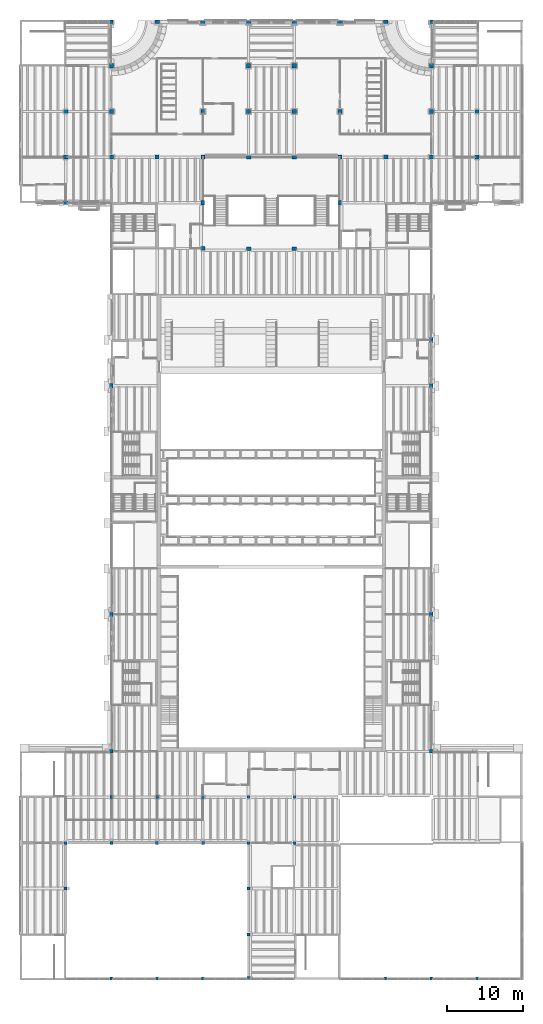
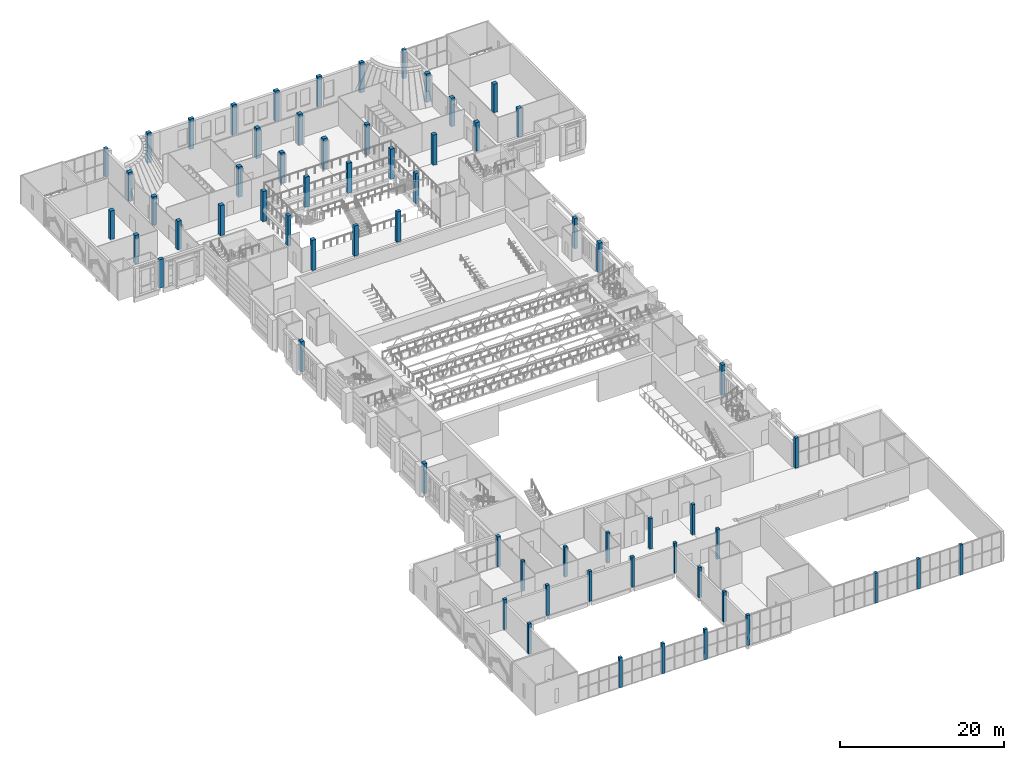
# One storey, part 1 of 70: 64 columns.
"""IFC4 building model written with IfcOpenShell, lengths in metres."""

from ifc_helpers import new_model, si_unit, direction, frame, origin, origin_2d, place, context, subcontext, project, spatial, rectangle, extrude, material, material_profile, profile_set, type_object, element, save


model = new_model("IFC4")

# Units and contexts
model_context = context("Model", 3, precision=1e-05, world=origin(), true_north=direction((0.0, 1.0)))
body_context = subcontext(model_context, "Body", "Model", "MODEL_VIEW")
ifc_project = project(units=[si_unit("LENGTHUNIT", "METRE"), si_unit("AREAUNIT", "SQUARE_METRE"), si_unit("VOLUMEUNIT", "CUBIC_METRE"), si_unit("PLANEANGLEUNIT", "RADIAN"), si_unit("MASSUNIT", "GRAM", prefix="KILO")], contexts=[model_context])

# Site, building, storey
site_placement = place(None, origin())
site = spatial("IfcSite", under=ifc_project, at=site_placement, CompositionType="ELEMENT")
building_placement = place(site_placement, origin())
building = spatial("IfcBuilding", under=site, at=building_placement, Name="Saffron Lane Theatres", CompositionType="ELEMENT")
storey_placement = place(building_placement, frame((0.0, 0.0, 12.0)))
storey = spatial("IfcBuildingStorey", under=building, at=storey_placement, Name="L02", CompositionType="ELEMENT", Elevation=12.0)

# Columns
ifc_material_1 = material(Name="Concrete N50 (50 MPa)", Category="concrete")
ifc_material_profile_1 = material_profile(ifc_material_1, rectangle(XDim=0.39990234375, YDim=0.39990234375, at=origin_2d()))
ifc_profile_set_1 = profile_set([ifc_material_profile_1], Name="Concrete N50 (50 MPa)")
column_type_1 = type_object("IfcColumnType", Name="RC-COL 400x400", PredefinedType="COLUMN", material=ifc_profile_set_1)
for number, where, z_axis, x_axis, name in (
    (1, (12.0, 0.2255859375, 0.0), (0.0, 0.0, 1.0), (1.0, 0.0, 0.0), "col-L02-C1"),
    (2, (18.0, 0.2255859375, 0.0), (0.0, 0.0, 1.0), (1.0, 0.0, 0.0), "col-L02-D1"),
    (3, (24.0, 0.2255859375, 0.0), (0.0, 0.0, 1.0), (1.0, 0.0, 0.0), "col-L02-E1"),
    (4, (30.0, 0.25048828125, 0.0), (0.0, 0.0, 1.0), (1.0, 0.0, 0.0), "col-L02-F1"),
    (5, (48.0, 0.2255859375, 0.0), (0.0, 0.0, 1.0), (1.0, 0.0, 0.0), "col-L02-J1"),
    (6, (54.0, 0.2255859375, 0.0), (0.0, 0.0, 1.0), (1.0, 0.0, 0.0), "col-L02-K1"),
    (7, (60.0, 0.2255859375, 0.0), (0.0, 0.0, 1.0), (1.0, 0.0, 0.0), "col-L02-L1"),
    (8, (30.0, 6.0, 0.0), (0.0, 0.0, 1.0), (1.0, 0.0, 0.0), "col-L02-F2"),
    (9, (6.0, 12.0, 0.0), (0.0, 0.0, 1.0), (1.0, 0.0, 0.0), "col-L02-B3"),
    (10, (30.0, 12.0, 0.0), (0.0, 0.0, 1.0), (1.0, 0.0, 0.0), "col-L02-F3"),
    (11, (6.0, 18.0, 0.0), (0.0, 0.0, 1.0), (1.0, 0.0, 0.0), "col-L02-B4"),
    (12, (12.0, 18.0, 0.0), (0.0, 0.0, 1.0), (1.0, 0.0, 0.0), "col-L02-C4"),
    (13, (18.0, 18.0, 0.0), (0.0, 0.0, 1.0), (1.0, 0.0, 0.0), "col-L02-D4"),
    (14, (24.0, 18.0, 0.0), (0.0, 0.0, 1.0), (1.0, 0.0, 0.0), "col-L02-E4"),
    (15, (30.0, 18.0, 0.0), (0.0, 0.0, 1.0), (1.0, 0.0, 0.0), "col-L02-F4"),
    (16, (36.0, 18.0, 0.0), (0.0, 0.0, 1.0), (1.0, 0.0, 0.0), "col-L02-G4"),
    (17, (12.0, 24.0, 0.0), (0.0, 0.0, 1.0), (1.0, 0.0, 0.0), "col-L02-C5"),
    (18, (18.0, 24.0, 0.0), (0.0, 0.0, 1.0), (1.0, 0.0, 0.0), "col-L02-D5"),
    (19, (24.0, 24.0, 0.0), (0.0, 0.0, 1.0), (1.0, 0.0, 0.0), "col-L02-E5"),
    (20, (30.0, 24.0, 0.0), (0.0, 0.0, 1.0), (1.0, 0.0, 0.0), "col-L02-F5"),
    (21, (36.0, 24.0, 0.0), (0.0, 0.0, 1.0), (1.0, 0.0, 0.0), "col-L02-G5"),
):
    element("IfcColumn", number, at=place(storey_placement, frame(where, z_axis=z_axis, x_axis=x_axis)), inside=storey, type_object=column_type_1, Name=name, PredefinedType="COLUMN", context=body_context, shape_type="SweptSolid", body=[
        extrude(rectangle(XDim=0.39990234375, YDim=0.39990234375, at=origin_2d()), origin(), (0.0, 0.0, 1.0), 4.5),
    ])
ifc_material_2 = material(Name="Concrete N50 (50 MPa)", Category="concrete")
ifc_material_profile_2 = material_profile(ifc_material_2, rectangle(XDim=0.449951171875, YDim=0.449951171875, at=origin_2d()))
ifc_profile_set_2 = profile_set([ifc_material_profile_2], Name="Concrete N50 (50 MPa)")
column_type_2 = type_object("IfcColumnType", Name="RC-COL 450x450", PredefinedType="COLUMN", material=ifc_profile_set_2)
for number, where, z_axis, x_axis, name in (
    (22, (12.0, 30.0, 0.0), (0.0, 0.0, 1.0), (1.0, 0.0, 0.0), "col-L02-C6"),
    (23, (54.0, 30.0, 0.0), (0.0, 0.0, 1.0), (1.0, 0.0, 0.0), "col-L02-K6"),
):
    element("IfcColumn", number, at=place(storey_placement, frame(where, z_axis=z_axis, x_axis=x_axis)), inside=storey, type_object=column_type_2, Name=name, PredefinedType="COLUMN", context=body_context, shape_type="SweptSolid", body=[
        extrude(rectangle(XDim=0.449951171875, YDim=0.449951171875, at=origin_2d()), origin(), (0.0, 0.0, 1.0), 4.5),
    ])
for number, where, z_axis, x_axis, name in (
    (24, (12.0, 125.74951171875, 0.0), (0.0, 0.0, 1.0), (1.0, 0.0, 0.0), "col-L02-C22"),
    (25, (54.0, 125.74951171875, 0.0), (0.0, 0.0, 1.0), (1.0, 0.0, 0.0), "col-L02-K22"),
):
    element("IfcColumn", number, at=place(storey_placement, frame(where, z_axis=z_axis, x_axis=x_axis)), inside=storey, type_object=column_type_2, Name=name, PredefinedType="COLUMN", context=body_context, shape_type="SweptSolid", body=[
        extrude(rectangle(XDim=0.449951171875, YDim=0.449951171875, at=origin_2d()), origin(), (0.0, 0.0, 1.0), 4.25),
    ])
ifc_material_3 = material(Name="Concrete N50 (50 MPa)", Category="concrete")
ifc_material_profile_3 = material_profile(ifc_material_3, rectangle(XDim=0.449951171875, YDim=0.60009765625, at=origin_2d()))
ifc_profile_set_3 = profile_set([ifc_material_profile_3], Name="Concrete N50 (50 MPa)")
column_type_3 = type_object("IfcColumnType", Name="RC-COL 450x600", PredefinedType="COLUMN", material=ifc_profile_set_3)
for number, where, z_axis, x_axis, name in (
    (26, (12.0, 48.0, 0.0), (0.0, 0.0, 1.0), (1.0, 0.0, 0.0), "col-L02-C9"),
    (27, (54.0, 48.0, 0.0), (0.0, 0.0, 1.0), (1.0, 0.0, 0.0), "col-L02-K9"),
    (28, (12.0, 78.0, 0.0), (0.0, 0.0, 1.0), (1.0, 0.0, 0.0), "col-L02-C14"),
    (29, (54.0, 78.0, 0.0), (0.0, 0.0, 1.0), (1.0, 0.0, 0.0), "col-L02-K14"),
    (30, (54.0, 84.0, 0.0), (0.0, 0.0, 1.0), (1.0, 0.0, 0.0), "col-L02-K15"),
    (31, (24.0, 102.0, 0.0), (0.0, 0.0, 1.0), (1.0, 0.0, 0.0), "col-L02-E18"),
    (32, (42.0, 102.0, 0.0), (0.0, 0.0, 1.0), (1.0, 0.0, 0.0), "col-L02-H18"),
):
    element("IfcColumn", number, at=place(storey_placement, frame(where, z_axis=z_axis, x_axis=x_axis)), inside=storey, type_object=column_type_3, Name=name, PredefinedType="COLUMN", context=body_context, shape_type="SweptSolid", body=[
        extrude(rectangle(XDim=0.449951171875, YDim=0.60009765625, at=origin_2d()), origin(), (0.0, 0.0, 1.0), 4.5),
    ])
ifc_material_4 = material(Name="Concrete N50 (50 MPa)", Category="concrete")
ifc_material_profile_4 = material_profile(ifc_material_4, rectangle(XDim=0.550048828125, YDim=0.550048828125, at=origin_2d()))
ifc_profile_set_4 = profile_set([ifc_material_profile_4], Name="Concrete N50 (50 MPa)")
column_type_4 = type_object("IfcColumnType", Name="RC-COL 550x550", PredefinedType="COLUMN", material=ifc_profile_set_4)
column_1_placement = place(storey_placement, frame((24.0, 96.0, 0.0), z_axis=(0.0, 0.0, 1.0), x_axis=(1.0, 0.0, 0.0)))
element("IfcColumn", 33, at=column_1_placement, inside=storey, type_object=column_type_4, Name="col-L02-E17", PredefinedType="COLUMN", context=body_context, shape_type="SweptSolid", body=[
    extrude(rectangle(XDim=0.550048828125, YDim=0.550048828125, at=origin_2d()), origin(), (0.0, 0.0, 1.0), 4.5),
])
for number, where, z_axis, x_axis, name in (
    (34, (6.0, 108.0, 0.0), (0.0, 0.0, 1.0), (1.0, 0.0, 0.0), "col-L02-B19"),
    (35, (12.0, 108.0, 0.0), (0.0, 0.0, 1.0), (1.0, 0.0, 0.0), "col-L02-C19"),
):
    element("IfcColumn", number, at=place(storey_placement, frame(where, z_axis=z_axis, x_axis=x_axis)), inside=storey, type_object=column_type_4, Name=name, PredefinedType="COLUMN", context=body_context, shape_type="SweptSolid", body=[
        extrude(rectangle(XDim=0.550048828125, YDim=0.550048828125, at=origin_2d()), origin(), (0.0, 0.0, 1.0), 4.25),
    ])
for number, where, z_axis, x_axis, name in (
    (36, (18.0, 108.0, 0.0), (0.0, 0.0, 1.0), (1.0, 0.0, 0.0), "col-L02-D19"),
    (37, (24.0, 108.0, 0.0), (0.0, 0.0, 1.0), (1.0, 0.0, 0.0), "col-L02-E19"),
    (38, (42.0, 108.0, 0.0), (0.0, 0.0, 1.0), (1.0, 0.0, 0.0), "col-L02-H19"),
    (39, (48.0, 108.0, 0.0), (0.0, 0.0, 1.0), (1.0, 0.0, 0.0), "col-L02-J19"),
):
    element("IfcColumn", number, at=place(storey_placement, frame(where, z_axis=z_axis, x_axis=x_axis)), inside=storey, type_object=column_type_4, Name=name, PredefinedType="COLUMN", context=body_context, shape_type="SweptSolid", body=[
        extrude(rectangle(XDim=0.550048828125, YDim=0.550048828125, at=origin_2d()), origin(), (0.0, 0.0, 1.0), 4.5),
    ])
for number, where, z_axis, x_axis, name in (
    (40, (54.0, 108.0, 0.0), (0.0, 0.0, 1.0), (1.0, 0.0, 0.0), "col-L02-K19"),
    (41, (60.0, 108.0, 0.0), (0.0, 0.0, 1.0), (1.0, 0.0, 0.0), "col-L02-L19"),
    (42, (6.0, 114.0, 0.0), (0.0, 0.0, 1.0), (1.0, 0.0, 0.0), "col-L02-B20"),
    (43, (12.0, 114.0, 0.0), (0.0, 0.0, 1.0), (1.0, 0.0, 0.0), "col-L02-C20"),
):
    element("IfcColumn", number, at=place(storey_placement, frame(where, z_axis=z_axis, x_axis=x_axis)), inside=storey, type_object=column_type_4, Name=name, PredefinedType="COLUMN", context=body_context, shape_type="SweptSolid", body=[
        extrude(rectangle(XDim=0.550048828125, YDim=0.550048828125, at=origin_2d()), origin(), (0.0, 0.0, 1.0), 4.25),
    ])
for number, where, z_axis, x_axis, name in (
    (44, (24.0, 114.0, 0.0), (0.0, 0.0, 1.0), (1.0, 0.0, 0.0), "col-L02-E20"),
    (45, (30.0, 114.0, 0.0), (0.0, 0.0, 1.0), (1.0, 0.0, 0.0), "col-L02-F20"),
    (46, (36.0, 114.0, 0.0), (0.0, 0.0, 1.0), (1.0, 0.0, 0.0), "col-L02-G20"),
    (47, (42.0, 114.0, 0.0), (0.0, 0.0, 1.0), (1.0, 0.0, 0.0), "col-L02-H20"),
):
    element("IfcColumn", number, at=place(storey_placement, frame(where, z_axis=z_axis, x_axis=x_axis)), inside=storey, type_object=column_type_4, Name=name, PredefinedType="COLUMN", context=body_context, shape_type="SweptSolid", body=[
        extrude(rectangle(XDim=0.550048828125, YDim=0.550048828125, at=origin_2d()), origin(), (0.0, 0.0, 1.0), 4.5),
    ])
for number, where, z_axis, x_axis, name in (
    (48, (54.0, 114.0, 0.0), (0.0, 0.0, 1.0), (1.0, 0.0, 0.0), "col-L02-K20"),
    (49, (60.0, 114.0, 0.0), (0.0, 0.0, 1.0), (1.0, 0.0, 0.0), "col-L02-L20"),
    (50, (12.0, 120.0, 0.0), (0.0, 0.0, 1.0), (1.0, 0.0, 0.0), "col-L02-C21"),
):
    element("IfcColumn", number, at=place(storey_placement, frame(where, z_axis=z_axis, x_axis=x_axis)), inside=storey, type_object=column_type_4, Name=name, PredefinedType="COLUMN", context=body_context, shape_type="SweptSolid", body=[
        extrude(rectangle(XDim=0.550048828125, YDim=0.550048828125, at=origin_2d()), origin(), (0.0, 0.0, 1.0), 4.25),
    ])
for number, where, z_axis, x_axis, name in (
    (51, (30.0, 120.0, 0.0), (0.0, 0.0, 1.0), (1.0, 0.0, 0.0), "col-L02-F21"),
    (52, (36.0, 120.0, 0.0), (0.0, 0.0, 1.0), (1.0, 0.0, 0.0), "col-L02-G21"),
):
    element("IfcColumn", number, at=place(storey_placement, frame(where, z_axis=z_axis, x_axis=x_axis)), inside=storey, type_object=column_type_4, Name=name, PredefinedType="COLUMN", context=body_context, shape_type="SweptSolid", body=[
        extrude(rectangle(XDim=0.550048828125, YDim=0.550048828125, at=origin_2d()), origin(), (0.0, 0.0, 1.0), 4.5),
    ])
column_2_placement = place(storey_placement, frame((54.0, 120.0, 0.0), z_axis=(0.0, 0.0, 1.0), x_axis=(1.0, 0.0, 0.0)))
element("IfcColumn", 53, at=column_2_placement, inside=storey, type_object=column_type_4, Name="col-L02-K21", PredefinedType="COLUMN", context=body_context, shape_type="SweptSolid", body=[
    extrude(rectangle(XDim=0.550048828125, YDim=0.550048828125, at=origin_2d()), origin(), (0.0, 0.0, 1.0), 4.25),
])
ifc_material_5 = material(Name="Concrete N50 (50 MPa)", Category="concrete")
ifc_material_profile_5 = material_profile(ifc_material_5, rectangle(XDim=0.60009765625, YDim=0.449951171875, at=origin_2d()))
ifc_profile_set_5 = profile_set([ifc_material_profile_5], Name="Concrete N50 (50 MPa)")
column_type_5 = type_object("IfcColumnType", Name="RC-COL 600x450", PredefinedType="COLUMN", material=ifc_profile_set_5)
for number, where, z_axis, x_axis, name in (
    (54, (30.0, 96.0, 0.0), (0.0, 0.0, 1.0), (1.0, 0.0, 0.0), "col-L02-F17"),
    (55, (36.0, 96.0, 0.0), (0.0, 0.0, 1.0), (1.0, 0.0, 0.0), "col-L02-G17"),
):
    element("IfcColumn", number, at=place(storey_placement, frame(where, z_axis=z_axis, x_axis=x_axis)), inside=storey, type_object=column_type_5, Name=name, PredefinedType="COLUMN", context=body_context, shape_type="SweptSolid", body=[
        extrude(rectangle(XDim=0.60009765625, YDim=0.449951171875, at=origin_2d()), origin(), (0.0, 0.0, 1.0), 4.5),
    ])
column_3_placement = place(storey_placement, frame((6.0, 102.0, 0.0), z_axis=(0.0, 0.0, 1.0), x_axis=(1.0, 0.0, 0.0)))
element("IfcColumn", 56, at=column_3_placement, inside=storey, type_object=column_type_5, Name="col-L02-B18", PredefinedType="COLUMN", context=body_context, shape_type="SweptSolid", body=[
    extrude(rectangle(XDim=0.60009765625, YDim=0.449951171875, at=origin_2d()), origin(), (0.0, 0.0, 1.0), 4.25),
])
for number, where, z_axis, x_axis, name in (
    (57, (30.0, 108.0, 0.0), (0.0, 0.0, 1.0), (1.0, 0.0, 0.0), "col-L02-F19"),
    (58, (36.0, 108.0, 0.0), (0.0, 0.0, 1.0), (1.0, 0.0, 0.0), "col-L02-G19"),
    (59, (18.0, 125.74951171875, 0.0), (0.0, 0.0, 1.0), (1.0, 0.0, 0.0), "col-L02-D22"),
    (60, (24.0, 125.724609375, 0.0), (0.0, 0.0, 1.0), (1.0, 0.0, 0.0), "col-L02-E22"),
    (61, (30.0, 125.724609375, 0.0), (0.0, 0.0, 1.0), (1.0, 0.0, 0.0), "col-L02-F22"),
    (62, (36.0, 125.724609375, 0.0), (0.0, 0.0, 1.0), (1.0, 0.0, 0.0), "col-L02-G22"),
    (63, (42.0, 125.724609375, 0.0), (0.0, 0.0, 1.0), (1.0, 0.0, 0.0), "col-L02-H22"),
    (64, (48.0, 125.74951171875, 0.0), (0.0, 0.0, 1.0), (1.0, 0.0, 0.0), "col-L02-J22"),
):
    element("IfcColumn", number, at=place(storey_placement, frame(where, z_axis=z_axis, x_axis=x_axis)), inside=storey, type_object=column_type_5, Name=name, PredefinedType="COLUMN", context=body_context, shape_type="SweptSolid", body=[
        extrude(rectangle(XDim=0.60009765625, YDim=0.449951171875, at=origin_2d()), origin(), (0.0, 0.0, 1.0), 4.5),
    ])

save(model, "model.ifc")
